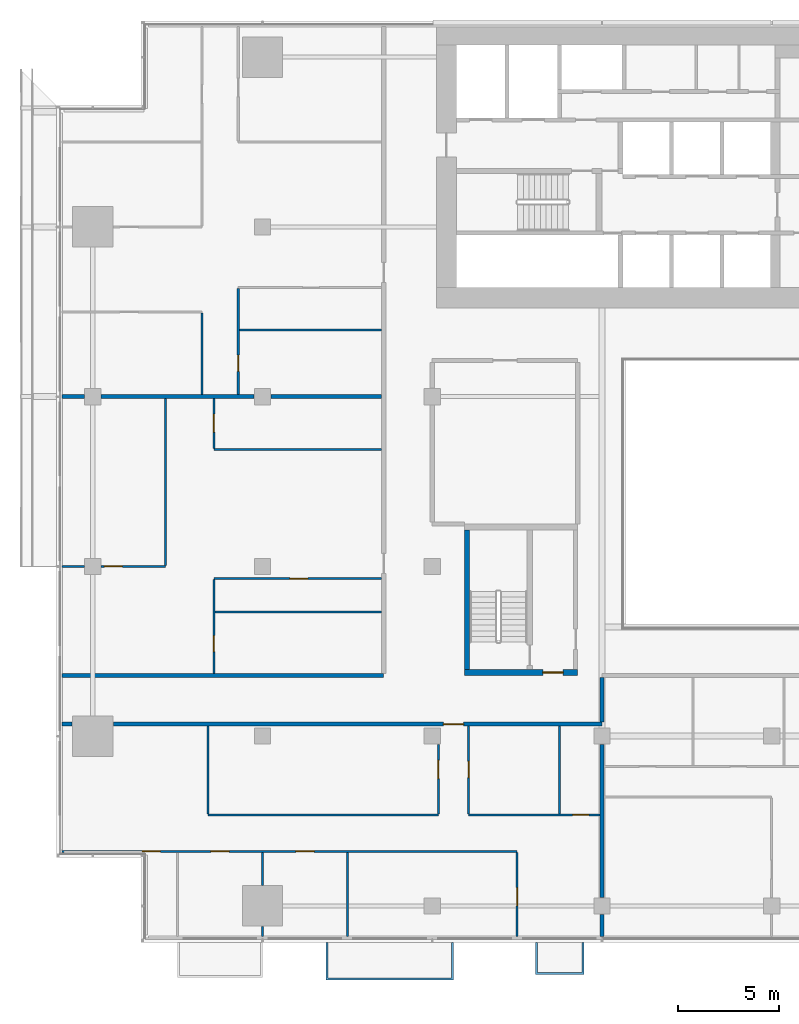
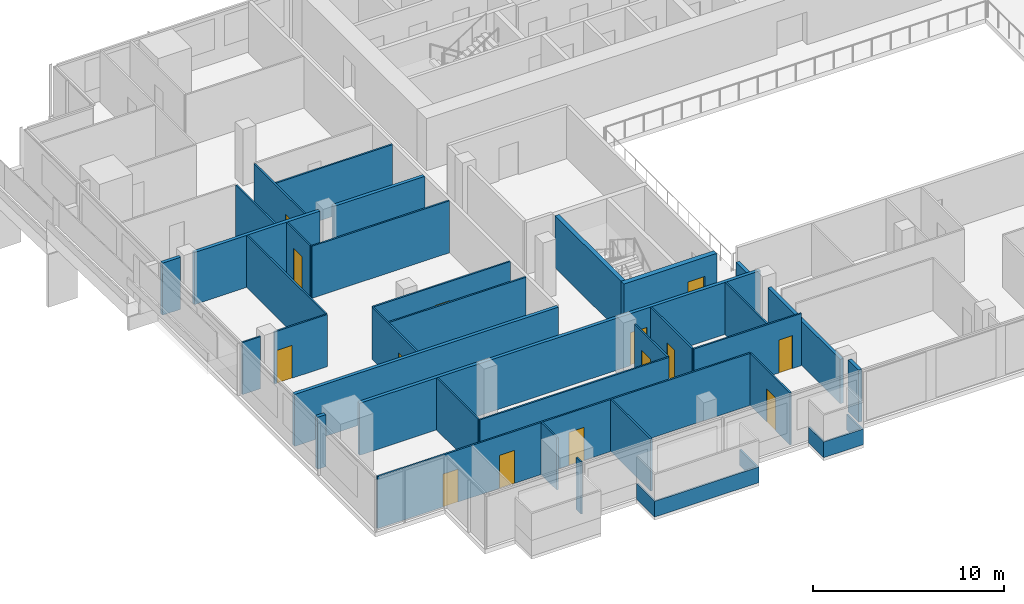
# One storey, part 18 of 27: 35 walls, 14 doors, 14 openings.
"""IFC4 building model written with IfcOpenShell, lengths in metres."""

import ifcopenshell
import ifcopenshell.guid

model = None  # the IFC model being written
_history = None  # IfcOwnerHistory: only IFC2X3 demands one
_inside = {}  # id of a spatial element -> (the spatial element, [elements in it])
_under = {}  # id of a project, library or spatial element -> (it, [spatial elements below it])
_declared = {}  # id of a project -> (the project, [libraries it declares])
_typed = {}  # id of a type object -> (the type object, [elements of that type])
_made_of = {}  # id of a material, layer set ... -> (it, [elements and type objects made of it])


def new_model(schema):
    """Start an empty IFC model of exactly this schema.

    Asked for "IFC4X3", IfcOpenShell would pick the latest addendum, in which some entities
    have other attributes; the version numbers below select the first issue.
    IFC2X3 requires an IfcOwnerHistory on every rooted entity: one is made here for all.
    """
    global model, _history
    if schema == "IFC4X3":
        model = ifcopenshell.file(schema_version=(4, 3, 0, 0))
    else:
        model = ifcopenshell.file(schema=schema)
    _inside.clear()
    _under.clear()
    _declared.clear()
    _typed.clear()
    _made_of.clear()
    _history = None
    if model.schema == "IFC2X3":
        org = make("IfcOrganization", Name="unknown")
        user = make(
            "IfcPersonAndOrganization",
            ThePerson=make("IfcPerson", FamilyName="unknown"),
            TheOrganization=org,
        )
        app = make(
            "IfcApplication",
            ApplicationDeveloper=org,
            Version="unknown",
            ApplicationFullName="unknown",
            ApplicationIdentifier="unknown",
        )
        _history = make(
            "IfcOwnerHistory",
            OwningUser=user,
            OwningApplication=app,
            ChangeAction="ADDED",
            CreationDate=0,
        )
    return model


def make(cls, **values):
    """One entity of the class cls with the attributes given. An attribute that is None is left unset."""
    return model.create_entity(
        cls, **{name: value for name, value in values.items() if value is not None}
    )


def rooted(cls, **values):
    """An entity with a GlobalId (a new one), such as an element, a storey or a relation."""
    return make(cls, GlobalId=ifcopenshell.guid.new(), OwnerHistory=_history, **values)


def si_unit(unit_type, name, prefix=None):
    """IfcSIUnit, for example si_unit("LENGTHUNIT", "METRE", prefix="MILLI")."""
    return make("IfcSIUnit", UnitType=unit_type, Prefix=prefix, Name=name)


def assignment(units):
    """IfcUnitAssignment: the units of a project."""
    return None if units is None else make("IfcUnitAssignment", Units=units)


def point(xyz):
    """IfcCartesianPoint."""
    return None if xyz is None else make("IfcCartesianPoint", Coordinates=xyz)


def direction(xyz):
    """IfcDirection."""
    return None if xyz is None else make("IfcDirection", DirectionRatios=xyz)


def frame(location, z_axis=None, x_axis=None):
    """IfcAxis2Placement3D, a coordinate frame: its origin and axes. An axis left out is left unset."""
    return make(
        "IfcAxis2Placement3D",
        Location=point(location),
        Axis=direction(z_axis),
        RefDirection=direction(x_axis),
    )


def frame_2d(location, x_axis=None):
    """IfcAxis2Placement2D, a coordinate frame in the plane: its origin and x axis."""
    return make(
        "IfcAxis2Placement2D", Location=point(location), RefDirection=direction(x_axis)
    )


def origin():
    """The frame at (0, 0, 0) with its axes left unset."""
    return frame((0.0, 0.0, 0.0))


def place(relative_to, where):
    """IfcLocalPlacement: puts the frame where relative to a parent placement (None: the world)."""
    return make(
        "IfcLocalPlacement", PlacementRelTo=relative_to, RelativePlacement=where
    )


def context(
    kind, dimensions, precision=None, world=None, true_north=None, identifier=None
):
    """IfcGeometricRepresentationContext, for example the 3D "Model" context."""
    return make(
        "IfcGeometricRepresentationContext",
        ContextIdentifier=identifier,
        ContextType=kind,
        CoordinateSpaceDimension=dimensions,
        Precision=precision,
        WorldCoordinateSystem=world,
        TrueNorth=true_north,
    )


def subcontext(parent, identifier, kind, view, scale=None):
    """IfcGeometricRepresentationSubContext, for example "Body" below "Model"."""
    return make(
        "IfcGeometricRepresentationSubContext",
        ContextIdentifier=identifier,
        ContextType=kind,
        ParentContext=parent,
        TargetScale=scale,
        TargetView=view,
    )


def project(units=None, contexts=None):
    """IfcProject with its units and contexts."""
    return rooted(
        "IfcProject",
        Name="project",
        RepresentationContexts=contexts,
        UnitsInContext=assignment(units),
    )


def spatial(cls, under=None, at=None, **own):
    """A site, building, storey or space (cls), placed at a placement, below another one or the project."""
    s = rooted(cls, ObjectPlacement=at, **own)
    if under is not None:
        _under.setdefault(under.id(), (under, []))[1].append(s)
    return s


def polyline(points):
    """IfcPolyline through the points."""
    return make("IfcPolyline", Points=[point(p) for p in points])


def profile(cls, at=None, kind="AREA", **sizes):
    """A parametric profile (cls). Its sizes go by their IFC names, for example OverallWidth=200.0."""
    return make(cls, ProfileType=kind, Position=at, **sizes)


def rectangle(**sizes):
    """IfcRectangleProfileDef."""
    return profile("IfcRectangleProfileDef", **sizes)


def outline(outer, holes=None, kind="AREA"):
    """IfcArbitraryClosedProfileDef: a profile drawn as a closed curve; with holes, ...WithVoids."""
    if holes is None:
        return make("IfcArbitraryClosedProfileDef", ProfileType=kind, OuterCurve=outer)
    return make(
        "IfcArbitraryProfileDefWithVoids",
        ProfileType=kind,
        OuterCurve=outer,
        InnerCurves=holes,
    )


def extrude(swept, where, along, depth):
    """IfcExtrudedAreaSolid: the profile swept, set in the frame where, extruded along a direction by depth."""
    return make(
        "IfcExtrudedAreaSolid",
        SweptArea=swept,
        Position=where,
        ExtrudedDirection=direction(along),
        Depth=depth,
    )


def shape(context_of_items, identifier, shape_type, items):
    """IfcShapeRepresentation: the items that make up one representation, for example the "Body"."""
    return make(
        "IfcShapeRepresentation",
        ContextOfItems=context_of_items,
        RepresentationIdentifier=identifier,
        RepresentationType=shape_type,
        Items=items,
    )


def material(Name=None, Category=None):
    """IfcMaterial."""
    return make("IfcMaterial", Name=Name, Category=Category)


def layer(
    of_material, thickness, ventilated=None, Name=None, Category=None, Priority=None
):
    """IfcMaterialLayer: one layer of a wall or slab, of a material (None: an air gap)."""
    return make(
        "IfcMaterialLayer",
        Material=of_material,
        LayerThickness=thickness,
        IsVentilated=ventilated,
        Name=Name,
        Category=Category,
        Priority=Priority,
    )


def layer_set(layers, Name=None):
    """IfcMaterialLayerSet."""
    return make("IfcMaterialLayerSet", MaterialLayers=layers, LayerSetName=Name)


def made_of(thing, what):
    """Note that an element or type object is made of a material, layer set ...; save() writes the relation."""
    if what is not None:
        _made_of.setdefault(what.id(), (what, []))[1].append(thing)
    return thing


def type_object(cls, material=None, **own):
    """A type object (cls), such as IfcWallType, which elements share."""
    return made_of(rooted(cls, **own), material)


def element(
    cls,
    number,
    at=None,
    inside=None,
    cuts=None,
    type_object=None,
    material=None,
    context=None,
    identifier="Body",
    shape_type=None,
    held_by="IfcProductDefinitionShape",
    body=None,
    shapes=None,
    **own,
):
    """One element of the class cls, such as IfcWall. Its Tag is "e" and its number.

    at: its placement. inside: the storey or other place that contains it. cuts: it is an
    opening in that element (IfcRelVoidsElement). A single representation is given by context,
    identifier, shape_type and body (its items); several are given by shapes. held_by: the class
    of the entity that holds the representations. save() writes the other relations.
    """
    e = rooted(cls, Tag="e%d" % number, ObjectPlacement=at, **own)
    if body is not None:
        shapes = [shape(context, identifier, shape_type, body)]
    if shapes is not None:
        e.Representation = make(held_by, Representations=shapes)
    if inside is not None:
        _inside.setdefault(inside.id(), (inside, []))[1].append(e)
    if cuts is not None:
        rooted(
            "IfcRelVoidsElement", RelatingBuildingElement=cuts, RelatedOpeningElement=e
        )
    if type_object is not None:
        _typed.setdefault(type_object.id(), (type_object, []))[1].append(e)
    return made_of(e, material)


def fill(opening, filler):
    """IfcRelFillsElement: the door or window that sits in an opening."""
    return rooted(
        "IfcRelFillsElement",
        RelatingOpeningElement=opening,
        RelatedBuildingElement=filler,
    )


def aggregate(whole, parts):
    """IfcRelAggregates: a whole, such as a stair, and the parts it consists of."""
    return rooted("IfcRelAggregates", RelatingObject=whole, RelatedObjects=parts)


def save(model, path):
    """Write the relations noted so far, then the file.

    IfcRelAggregates (storeys below a building ...), IfcRelContainedInSpatialStructure (elements
    in a storey), IfcRelDefinesByType, IfcRelAssociatesMaterial and IfcRelDeclares: one each for
    every whole, place, type object, material and project.
    """
    for whole, parts in _under.values():
        aggregate(whole, parts)
    for where, things in _inside.values():
        rooted(
            "IfcRelContainedInSpatialStructure",
            RelatedElements=things,
            RelatingStructure=where,
        )
    for kind, things in _typed.values():
        rooted("IfcRelDefinesByType", RelatedObjects=things, RelatingType=kind)
    for what, things in _made_of.values():
        rooted("IfcRelAssociatesMaterial", RelatedObjects=things, RelatingMaterial=what)
    for by, libraries in _declared.values():
        rooted("IfcRelDeclares", RelatingContext=by, RelatedDefinitions=libraries)
    model.write(path)


model = new_model("IFC4")

# Units and contexts
model_context = context("Model", 3, precision=1e-05, world=origin(), true_north=direction((0.0, 1.0)))
body_context = subcontext(model_context, "Body", "Model", "MODEL_VIEW")
ifc_project = project(units=[si_unit("LENGTHUNIT", "METRE"), si_unit("AREAUNIT", "SQUARE_METRE"), si_unit("VOLUMEUNIT", "CUBIC_METRE"), si_unit("PLANEANGLEUNIT", "RADIAN"), si_unit("MASSUNIT", "GRAM", prefix="KILO")], contexts=[model_context])

# Site, building, storey
site_placement = place(None, origin())
site = spatial("IfcSite", under=ifc_project, at=site_placement, CompositionType="ELEMENT")
building_placement = place(site_placement, origin())
building = spatial("IfcBuilding", under=site, at=building_placement, Name="Saffron Gate Tower", CompositionType="ELEMENT")
storey_placement = place(building_placement, frame((0.0, 0.0, 109.64990234375)))
storey = spatial("IfcBuildingStorey", under=building, at=storey_placement, Name="L25", CompositionType="ELEMENT", Elevation=109.64990234375)

# Wall
ifc_material_1 = material(Name="Concrete C70", Category="concrete")
ifc_layer_1 = layer(ifc_material_1, 0.25)
ifc_layer_set_1 = layer_set([ifc_layer_1], Name="CW2 RC core wall 250 C70")
wall_type_1 = type_object("IfcWallType", Name="CW2 RC core wall 250 C70", PredefinedType="SOLIDWALL", material=ifc_layer_set_1)
wall_1_placement = place(storey_placement, frame((68.324951171875, 43.5, 0.0), z_axis=(0.0, 0.0, 1.0), x_axis=(0.0, 1.0, 0.0)))
element("IfcWall", 1, at=wall_1_placement, inside=storey, type_object=wall_type_1, Name="Wall CW2-L25-D-2", PredefinedType="SOLIDWALL", context=body_context, shape_type="SweptSolid", body=[
    extrude(rectangle(XDim=6.89990234375, YDim=0.25, at=frame_2d((3.449951171875, 0.0))), origin(), (0.0, 0.0, 1.0), 3.320068359375),
])

# Wall, opening, door
ifc_layer_2 = layer(ifc_material_1, 0.300048828125)
ifc_layer_set_2 = layer_set([ifc_layer_2], Name="CW5 RC core wall 300 C70")
wall_type_2 = type_object("IfcWallType", Name="CW5 RC core wall 300 C70", PredefinedType="SOLIDWALL", material=ifc_layer_set_2)
wall_2_placement = place(storey_placement, frame((68.199951171875, 43.35009765625, 0.0), z_axis=(0.0, 0.0, 1.0), x_axis=(1.0, 0.0, 0.0)))
wall_2 = element("IfcWall", 2, at=wall_2_placement, inside=storey, type_object=wall_type_2, Name="Wall CW5-L25-D-1", PredefinedType="SOLIDWALL", context=body_context, shape_type="SweptSolid", body=[
    extrude(rectangle(XDim=5.60009765625, YDim=0.300048828125, at=frame_2d((2.800048828125, 0.0))), origin(), (0.0, 0.0, 1.0), 3.320068359375),
])
opening_1_placement = place(wall_2_placement, frame((3.875, 0.0, 0.0)))
opening_1 = element("IfcOpeningElement", 3, at=opening_1_placement, cuts=wall_2, Name="Opening CR-18", PredefinedType="OPENING", context=body_context, shape_type="SweptSolid", body=[
    extrude(rectangle(XDim=1.0, YDim=2.10009765625, at=frame_2d((0.5, 1.050048828125))), frame((0.0, 0.16015625, 0.0), z_axis=(0.0, -1.0, 0.0), x_axis=(1.0, 0.0, 0.0)), (0.0, 0.0, 1.0), 0.320068359375),
])
ifc_material_2 = material(Name="Steel fire door set", Category="steel")
door_type_1 = type_object("IfcDoorType", Name="CD4 Lobby door 1000x2100 EI 120", OperationType="NOTDEFINED", PredefinedType="DOOR", material=ifc_material_2)
door_1_placement = place(opening_1_placement, origin())
door_1 = element("IfcDoor", 4, at=door_1_placement, inside=storey, type_object=door_type_1, Name="DOOR CR-18", OperationType="SINGLE_SWING_RIGHT", OverallHeight=2.10009765625, OverallWidth=1.0, PredefinedType="DOOR", context=body_context, shape_type="SweptSolid", body=[
    extrude(rectangle(XDim=1.0, YDim=2.10009765625, at=frame_2d((0.5, 1.050048828125))), frame((0.0, 0.02490234375, 0.0), z_axis=(0.0, -1.0, 0.0), x_axis=(1.0, 0.0, 0.0)), (0.0, 0.0, 1.0), 0.050048828125),
])
fill(opening_1, door_1)

# Wall, openings, doors
ifc_material_3 = material(Name="Plasterboard on steel studs", Category="steel")
ifc_layer_3 = layer(ifc_material_3, 0.10009765625)
ifc_layer_set_3 = layer_set([ifc_layer_3], Name="PW1 Partition 100")
wall_type_3 = type_object("IfcWallType", Name="PW1 Partition 100", PredefinedType="PARTITIONING", material=ifc_layer_set_3)
wall_3_placement = place(storey_placement, frame((70.800048828125, 34.5, 0.0), z_axis=(0.0, 0.0, 1.0), x_axis=(-1.0, 0.0, 0.0)))
wall_3 = element("IfcWall", 5, at=wall_3_placement, inside=storey, type_object=wall_type_3, Name="Partition B2-1", PredefinedType="PARTITIONING", context=body_context, shape_type="SweptSolid", body=[
    extrude(rectangle(XDim=22.52001953125, YDim=0.10009765625, at=frame_2d((11.260009765625, 0.0))), origin(), (0.0, 0.0, 1.0), 3.320068359375),
])
opening_2_placement = place(wall_3_placement, frame((10.050048828125, 0.0, 0.0)))
opening_2 = element("IfcOpeningElement", 6, at=opening_2_placement, cuts=wall_3, Name="Opening B2-10", PredefinedType="OPENING", context=body_context, shape_type="SweptSolid", body=[
    extrude(rectangle(XDim=0.89990234375, YDim=2.10009765625, at=frame_2d((0.449951171875, 1.050048828125))), frame((0.0, 0.06005859375, 0.0), z_axis=(0.0, -1.0, 0.0), x_axis=(1.0, 0.0, 0.0)), (0.0, 0.0, 1.0), 0.1201171875),
])
opening_3_placement = place(wall_3_placement, frame((14.25, 0.0, 0.0)))
opening_3 = element("IfcOpeningElement", 7, at=opening_3_placement, cuts=wall_3, Name="Opening B2-9", PredefinedType="OPENING", context=body_context, shape_type="SweptSolid", body=[
    extrude(rectangle(XDim=0.89990234375, YDim=2.10009765625, at=frame_2d((0.449951171875, 1.050048828125))), frame((0.0, 0.06005859375, 0.0), z_axis=(0.0, -1.0, 0.0), x_axis=(1.0, 0.0, 0.0)), (0.0, 0.0, 1.0), 0.1201171875),
])
opening_4_placement = place(wall_3_placement, frame((17.65380859375, 0.0, 0.0)))
opening_4 = element("IfcOpeningElement", 8, at=opening_4_placement, cuts=wall_3, Name="Opening B2-8", PredefinedType="OPENING", context=body_context, shape_type="SweptSolid", body=[
    extrude(rectangle(XDim=0.89990234375, YDim=2.10009765625, at=frame_2d((0.449951171875, 1.050048828125))), frame((0.0, 0.06005859375, 0.0), z_axis=(0.0, -1.0, 0.0), x_axis=(1.0, 0.0, 0.0)), (0.0, 0.0, 1.0), 0.1201171875),
])
ifc_material_4 = material(Name="Timber door set", Category="wood")
door_type_2 = type_object("IfcDoorType", Name="RD1 Room door 900x2100", OperationType="NOTDEFINED", PredefinedType="DOOR", material=ifc_material_4)
door_2_placement = place(opening_2_placement, origin())
door_2 = element("IfcDoor", 9, at=door_2_placement, inside=storey, type_object=door_type_2, Name="Door B2-10", OperationType="SINGLE_SWING_RIGHT", OverallHeight=2.10009765625, OverallWidth=0.89990234375, PredefinedType="DOOR", context=body_context, shape_type="SweptSolid", body=[
    extrude(rectangle(XDim=0.89990234375, YDim=2.10009765625, at=frame_2d((0.449951171875, 1.050048828125))), frame((0.0, 0.02490234375, 0.0), z_axis=(0.0, -1.0, 0.0), x_axis=(1.0, 0.0, 0.0)), (0.0, 0.0, 1.0), 0.050048828125),
])
fill(opening_2, door_2)
door_3_placement = place(opening_3_placement, origin())
door_3 = element("IfcDoor", 10, at=door_3_placement, inside=storey, type_object=door_type_2, Name="Door B2-9", OperationType="SINGLE_SWING_RIGHT", OverallHeight=2.10009765625, OverallWidth=0.89990234375, PredefinedType="DOOR", context=body_context, shape_type="SweptSolid", body=[
    extrude(rectangle(XDim=0.89990234375, YDim=2.10009765625, at=frame_2d((0.449951171875, 1.050048828125))), frame((0.0, 0.02490234375, 0.0), z_axis=(0.0, -1.0, 0.0), x_axis=(1.0, 0.0, 0.0)), (0.0, 0.0, 1.0), 0.050048828125),
])
fill(opening_3, door_3)
door_4_placement = place(opening_4_placement, origin())
door_4 = element("IfcDoor", 11, at=door_4_placement, inside=storey, type_object=door_type_2, Name="Door B2-8", OperationType="SINGLE_SWING_LEFT", OverallHeight=2.10009765625, OverallWidth=0.89990234375, PredefinedType="DOOR", context=body_context, shape_type="SweptSolid", body=[
    extrude(rectangle(XDim=0.89990234375, YDim=2.10009765625, at=frame_2d((0.449951171875, 1.050048828125))), frame((0.0, 0.02490234375, 0.0), z_axis=(0.0, -1.0, 0.0), x_axis=(1.0, 0.0, 0.0)), (0.0, 0.0, 1.0), 0.050048828125),
])
fill(opening_4, door_4)

# Wall
wall_4_placement = place(storey_placement, frame((55.5, 36.300048828125, 0.0), z_axis=(0.0, 0.0, 1.0), x_axis=(1.0, 0.0, 0.0)))
element("IfcWall", 12, at=wall_4_placement, inside=storey, type_object=wall_type_3, Name="Partition B2-3", PredefinedType="PARTITIONING", context=body_context, shape_type="SweptSolid", body=[
    extrude(rectangle(XDim=11.39990234375, YDim=0.10009765625, at=frame_2d((5.699951171875, 0.0))), origin(), (0.0, 0.0, 1.0), 3.320068359375),
])

# Wall, opening, door
wall_5_placement = place(storey_placement, frame((68.39990234375, 36.300048828125, 0.0), z_axis=(0.0, 0.0, 1.0), x_axis=(1.0, 0.0, 0.0)))
wall_5 = element("IfcWall", 13, at=wall_5_placement, inside=storey, type_object=wall_type_3, Name="Partition B2-4", PredefinedType="PARTITIONING", context=body_context, shape_type="SweptSolid", body=[
    extrude(rectangle(XDim=6.5, YDim=0.10009765625, at=frame_2d((3.25, 0.0))), origin(), (0.0, 0.0, 1.0), 3.320068359375),
])
opening_5_placement = place(wall_5_placement, frame((5.14990234375, 0.0, 0.0)))
opening_5 = element("IfcOpeningElement", 14, at=opening_5_placement, cuts=wall_5, Name="Opening B2-37", PredefinedType="OPENING", context=body_context, shape_type="SweptSolid", body=[
    extrude(rectangle(XDim=0.800048828125, YDim=2.10009765625, at=frame_2d((0.39990234375, 1.050048828125))), frame((0.0, 0.06005859375, 0.0), z_axis=(0.0, -1.0, 0.0), x_axis=(1.0, 0.0, 0.0)), (0.0, 0.0, 1.0), 0.1201171875),
])
door_type_3 = type_object("IfcDoorType", Name="RD2 Bathroom door 800x2100", OperationType="NOTDEFINED", PredefinedType="DOOR", material=ifc_material_4)
door_5_placement = place(opening_5_placement, origin())
door_5 = element("IfcDoor", 15, at=door_5_placement, inside=storey, type_object=door_type_3, Name="Door B2-37", OperationType="SINGLE_SWING_RIGHT", OverallHeight=2.10009765625, OverallWidth=0.800048828125, PredefinedType="DOOR", context=body_context, shape_type="SweptSolid", body=[
    extrude(rectangle(XDim=0.800048828125, YDim=2.10009765625, at=frame_2d((0.39990234375, 1.050048828125))), frame((0.0, 0.02490234375, 0.0), z_axis=(0.0, -1.0, 0.0), x_axis=(1.0, 0.0, 0.0)), (0.0, 0.0, 1.0), 0.050048828125),
])
fill(opening_5, door_5)

# Wall
wall_6_placement = place(storey_placement, frame((55.85009765625, 46.354736328125, 0.0), z_axis=(0.0, 0.0, 1.0), x_axis=(1.0, 0.0, 0.0)))
element("IfcWall", 16, at=wall_6_placement, inside=storey, type_object=wall_type_3, Name="Partition B2-16", PredefinedType="PARTITIONING", context=body_context, shape_type="SweptSolid", body=[
    extrude(rectangle(XDim=8.25, YDim=0.10009765625, at=frame_2d((4.125, 0.0))), origin(), (0.0, 0.0, 1.0), 3.320068359375),
])

# Wall, opening, door
wall_7_placement = place(storey_placement, frame((64.10009765625, 48.0, 0.0), z_axis=(0.0, 0.0, 1.0), x_axis=(-1.0, 0.0, 0.0)))
wall_7 = element("IfcWall", 17, at=wall_7_placement, inside=storey, type_object=wall_type_3, Name="Partition B2-18", PredefinedType="PARTITIONING", context=body_context, shape_type="SweptSolid", body=[
    extrude(rectangle(XDim=8.300048828125, YDim=0.10009765625, at=frame_2d((4.14990234375, 0.0))), origin(), (0.0, 0.0, 1.0), 3.320068359375),
])
opening_6_placement = place(wall_7_placement, frame((3.64990234375, 0.0, 0.0)))
opening_6 = element("IfcOpeningElement", 18, at=opening_6_placement, cuts=wall_7, Name="Opening B2-25", PredefinedType="OPENING", context=body_context, shape_type="SweptSolid", body=[
    extrude(rectangle(XDim=0.89990234375, YDim=2.10009765625, at=frame_2d((0.449951171875, 1.050048828125))), frame((0.0, 0.06005859375, 0.0), z_axis=(0.0, -1.0, 0.0), x_axis=(1.0, 0.0, 0.0)), (0.0, 0.0, 1.0), 0.1201171875),
])
door_6_placement = place(opening_6_placement, origin())
door_6 = element("IfcDoor", 19, at=door_6_placement, inside=storey, type_object=door_type_2, Name="Door B2-25", OperationType="SINGLE_SWING_LEFT", OverallHeight=2.10009765625, OverallWidth=0.89990234375, PredefinedType="DOOR", context=body_context, shape_type="SweptSolid", body=[
    extrude(rectangle(XDim=0.89990234375, YDim=2.10009765625, at=frame_2d((0.449951171875, 1.050048828125))), frame((0.0, 0.02490234375, 0.0), z_axis=(0.0, -1.0, 0.0), x_axis=(1.0, 0.0, 0.0)), (0.0, 0.0, 1.0), 0.050048828125),
])
fill(opening_6, door_6)

# Wall
wall_8_placement = place(storey_placement, frame((48.280029296875, 48.60009765625, 0.0), z_axis=(0.0, 0.0, 1.0), x_axis=(1.0, 0.0, 0.0)))
element("IfcWall", 20, at=wall_8_placement, inside=storey, type_object=wall_type_3, Name="Partition B2-19", PredefinedType="PARTITIONING", context=body_context, shape_type="SweptSolid", body=[
    extrude(rectangle(XDim=1.099853515625, YDim=0.10009765625, at=frame_2d((0.5498046875, 0.0))), origin(), (0.0, 0.0, 1.0), 3.320068359375),
])

# Wall, opening, door
wall_9_placement = place(storey_placement, frame((50.219970703125, 48.60009765625, 0.0), z_axis=(0.0, 0.0, 1.0), x_axis=(1.0, 0.0, 0.0)))
wall_9 = element("IfcWall", 21, at=wall_9_placement, inside=storey, type_object=wall_type_3, Name="Partition B2-20", PredefinedType="PARTITIONING", context=body_context, shape_type="SweptSolid", body=[
    extrude(rectangle(XDim=3.179931640625, YDim=0.10009765625, at=frame_2d((1.58984375, 0.0))), origin(), (0.0, 0.0, 1.0), 3.320068359375),
])
opening_7_placement = place(wall_9_placement, frame((0.14990234375, 0.0, 0.0)))
opening_7 = element("IfcOpeningElement", 22, at=opening_7_placement, cuts=wall_9, Name="Opening B2-23", PredefinedType="OPENING", context=body_context, shape_type="SweptSolid", body=[
    extrude(rectangle(XDim=0.89990234375, YDim=2.10009765625, at=frame_2d((0.449951171875, 1.050048828125))), frame((0.0, 0.06005859375, 0.0), z_axis=(0.0, -1.0, 0.0), x_axis=(1.0, 0.0, 0.0)), (0.0, 0.0, 1.0), 0.1201171875),
])
door_7_placement = place(opening_7_placement, origin())
door_7 = element("IfcDoor", 23, at=door_7_placement, inside=storey, type_object=door_type_2, Name="Door B2-23", OperationType="SINGLE_SWING_LEFT", OverallHeight=2.10009765625, OverallWidth=0.89990234375, PredefinedType="DOOR", context=body_context, shape_type="SweptSolid", body=[
    extrude(rectangle(XDim=0.89990234375, YDim=2.10009765625, at=frame_2d((0.449951171875, 1.050048828125))), frame((0.0, 0.02490234375, 0.0), z_axis=(0.0, -1.0, 0.0), x_axis=(1.0, 0.0, 0.0)), (0.0, 0.0, 1.0), 0.050048828125),
])
fill(opening_7, door_7)

# Walls
wall_10_placement = place(storey_placement, frame((55.800048828125, 54.381103515625, 0.0), z_axis=(0.0, 0.0, 1.0), x_axis=(1.0, 0.0, 0.0)))
element("IfcWall", 24, at=wall_10_placement, inside=storey, type_object=wall_type_3, Name="Partition B2-27", PredefinedType="PARTITIONING", context=body_context, shape_type="SweptSolid", body=[
    extrude(rectangle(XDim=8.300048828125, YDim=0.10009765625, at=frame_2d((4.14990234375, 0.0))), origin(), (0.0, 0.0, 1.0), 3.320068359375),
])
wall_11_placement = place(storey_placement, frame((57.050048828125, 60.300048828125, 0.0), z_axis=(0.0, 0.0, 1.0), x_axis=(1.0, 0.0, 0.0)))
element("IfcWall", 25, at=wall_11_placement, inside=storey, type_object=wall_type_3, Name="Partition B2-36", PredefinedType="PARTITIONING", context=body_context, shape_type="SweptSolid", body=[
    extrude(rectangle(XDim=7.050048828125, YDim=0.10009765625, at=frame_2d((3.52490234375, 0.0))), origin(), (0.0, 0.0, 1.0), 3.320068359375),
])
wall_12_placement = place(storey_placement, frame((53.39990234375, 56.89990234375, 0.0), z_axis=(0.0, 0.0, 1.0), x_axis=(0.0, -1.0, 0.0)))
element("IfcWall", 26, at=wall_12_placement, inside=storey, type_object=wall_type_3, Name="Partition B2-49", PredefinedType="PARTITIONING", context=body_context, shape_type="SweptSolid", body=[
    extrude(rectangle(XDim=8.25, YDim=0.10009765625, at=frame_2d((4.125, 0.0))), origin(), (0.0, 0.0, 1.0), 3.320068359375),
])
wall_13_placement = place(storey_placement, frame((55.199951171875, 61.14990234375, 0.0), z_axis=(0.0, 0.0, 1.0), x_axis=(0.0, -1.0, 0.0)))
element("IfcWall", 27, at=wall_13_placement, inside=storey, type_object=wall_type_3, Name="Partition B2-51", PredefinedType="PARTITIONING", context=body_context, shape_type="SweptSolid", body=[
    extrude(rectangle(XDim=4.0498046875, YDim=0.10009765625, at=frame_2d((2.02490234375, 0.0))), origin(), (0.0, 0.0, 1.0), 3.320068359375),
])
wall_14_placement = place(storey_placement, frame((55.5, 40.699951171875, 0.0), z_axis=(0.0, 0.0, 1.0), x_axis=(0.0, -1.0, 0.0)))
element("IfcWall", 28, at=wall_14_placement, inside=storey, type_object=wall_type_3, Name="Partition B2-53", PredefinedType="PARTITIONING", context=body_context, shape_type="SweptSolid", body=[
    extrude(rectangle(XDim=4.349853515625, YDim=0.10009765625, at=frame_2d((2.1748046875, 0.0))), origin(), (0.0, 0.0, 1.0), 3.320068359375),
])

# Wall, opening, door
wall_15_placement = place(storey_placement, frame((55.800048828125, 47.949951171875, 0.0), z_axis=(0.0, 0.0, 1.0), x_axis=(0.0, -1.0, 0.0)))
wall_15 = element("IfcWall", 29, at=wall_15_placement, inside=storey, type_object=wall_type_3, Name="Partition B2-54", PredefinedType="PARTITIONING", context=body_context, shape_type="SweptSolid", body=[
    extrude(rectangle(XDim=4.64990234375, YDim=0.10009765625, at=frame_2d((2.324951171875, 0.0))), origin(), (0.0, 0.0, 1.0), 3.320068359375),
])
opening_8_placement = place(wall_15_placement, frame((2.772705078125, 0.0, 0.0)))
opening_8 = element("IfcOpeningElement", 30, at=opening_8_placement, cuts=wall_15, Name="Opening B2-42", PredefinedType="OPENING", context=body_context, shape_type="SweptSolid", body=[
    extrude(rectangle(XDim=0.800048828125, YDim=2.10009765625, at=frame_2d((0.39990234375, 1.050048828125))), frame((0.0, 0.06005859375, 0.0), z_axis=(0.0, -1.0, 0.0), x_axis=(1.0, 0.0, 0.0)), (0.0, 0.0, 1.0), 0.1201171875),
])
door_8_placement = place(opening_8_placement, origin())
door_8 = element("IfcDoor", 31, at=door_8_placement, inside=storey, type_object=door_type_3, Name="Door B2-42", OperationType="SINGLE_SWING_RIGHT", OverallHeight=2.10009765625, OverallWidth=0.800048828125, PredefinedType="DOOR", context=body_context, shape_type="SweptSolid", body=[
    extrude(rectangle(XDim=0.800048828125, YDim=2.10009765625, at=frame_2d((0.39990234375, 1.050048828125))), frame((0.0, 0.02490234375, 0.0), z_axis=(0.0, -1.0, 0.0), x_axis=(1.0, 0.0, 0.0)), (0.0, 0.0, 1.0), 0.050048828125),
])
fill(opening_8, door_8)

wall_16_placement = place(storey_placement, frame((55.800048828125, 56.89990234375, 0.0), z_axis=(0.0, 0.0, 1.0), x_axis=(0.0, -1.0, 0.0)))
wall_16 = element("IfcWall", 32, at=wall_16_placement, inside=storey, type_object=wall_type_3, Name="Partition B2-55", PredefinedType="PARTITIONING", context=body_context, shape_type="SweptSolid", body=[
    extrude(rectangle(XDim=2.468994140625, YDim=0.10009765625, at=frame_2d((1.234375, 0.0))), origin(), (0.0, 0.0, 1.0), 3.320068359375),
])
opening_9_placement = place(wall_16_placement, frame((0.759521484375, 0.0, 0.0)))
opening_9 = element("IfcOpeningElement", 33, at=opening_9_placement, cuts=wall_16, Name="Opening B2-24", PredefinedType="OPENING", context=body_context, shape_type="SweptSolid", body=[
    extrude(rectangle(XDim=0.89990234375, YDim=2.10009765625, at=frame_2d((0.449951171875, 1.050048828125))), frame((0.0, 0.06005859375, 0.0), z_axis=(0.0, -1.0, 0.0), x_axis=(1.0, 0.0, 0.0)), (0.0, 0.0, 1.0), 0.1201171875),
])
door_9_placement = place(opening_9_placement, origin())
door_9 = element("IfcDoor", 34, at=door_9_placement, inside=storey, type_object=door_type_2, Name="Door B2-24", OperationType="SINGLE_SWING_LEFT", OverallHeight=2.10009765625, OverallWidth=0.89990234375, PredefinedType="DOOR", context=body_context, shape_type="SweptSolid", body=[
    extrude(rectangle(XDim=0.89990234375, YDim=2.10009765625, at=frame_2d((0.449951171875, 1.050048828125))), frame((0.0, 0.02490234375, 0.0), z_axis=(0.0, -1.0, 0.0), x_axis=(1.0, 0.0, 0.0)), (0.0, 0.0, 1.0), 0.050048828125),
])
fill(opening_9, door_9)

wall_17_placement = place(storey_placement, frame((57.0, 62.35009765625, 0.0), z_axis=(0.0, 0.0, 1.0), x_axis=(0.0, -1.0, 0.0)))
wall_17 = element("IfcWall", 35, at=wall_17_placement, inside=storey, type_object=wall_type_3, Name="Partition B2-56", PredefinedType="PARTITIONING", context=body_context, shape_type="SweptSolid", body=[
    extrude(rectangle(XDim=5.25, YDim=0.10009765625, at=frame_2d((2.625, 0.0))), origin(), (0.0, 0.0, 1.0), 3.320068359375),
])
opening_10_placement = place(wall_17_placement, frame((3.300048828125, 0.0, 0.0)))
opening_10 = element("IfcOpeningElement", 36, at=opening_10_placement, cuts=wall_17, Name="Opening B2-43", PredefinedType="OPENING", context=body_context, shape_type="SweptSolid", body=[
    extrude(rectangle(XDim=0.800048828125, YDim=2.10009765625, at=frame_2d((0.39990234375, 1.050048828125))), frame((0.0, 0.06005859375, 0.0), z_axis=(0.0, -1.0, 0.0), x_axis=(1.0, 0.0, 0.0)), (0.0, 0.0, 1.0), 0.1201171875),
])
door_10_placement = place(opening_10_placement, origin())
door_10 = element("IfcDoor", 37, at=door_10_placement, inside=storey, type_object=door_type_3, Name="Door B2-43", OperationType="SINGLE_SWING_RIGHT", OverallHeight=2.10009765625, OverallWidth=0.800048828125, PredefinedType="DOOR", context=body_context, shape_type="SweptSolid", body=[
    extrude(rectangle(XDim=0.800048828125, YDim=2.10009765625, at=frame_2d((0.39990234375, 1.050048828125))), frame((0.0, 0.02490234375, 0.0), z_axis=(0.0, -1.0, 0.0), x_axis=(1.0, 0.0, 0.0)), (0.0, 0.0, 1.0), 0.050048828125),
])
fill(opening_10, door_10)

# Walls
wall_18_placement = place(storey_placement, frame((58.199951171875, 30.780029296875, 0.0), z_axis=(0.0, 0.0, 1.0), x_axis=(0.0, -1.0, 0.0)))
element("IfcWall", 38, at=wall_18_placement, inside=storey, type_object=wall_type_3, Name="Partition B2-58", PredefinedType="PARTITIONING", context=body_context, shape_type="SweptSolid", body=[
    extrude(rectangle(XDim=0.5, YDim=0.10009765625, at=frame_2d((0.25, 0.0))), origin(), (0.0, 0.0, 1.0), 3.320068359375),
])
wall_19_placement = place(storey_placement, frame((58.199951171875, 34.449951171875, 0.0), z_axis=(0.0, 0.0, 1.0), x_axis=(0.0, -1.0, 0.0)))
element("IfcWall", 39, at=wall_19_placement, inside=storey, type_object=wall_type_3, Name="Partition B2-59", PredefinedType="PARTITIONING", context=body_context, shape_type="SweptSolid", body=[
    extrude(rectangle(XDim=1.6298828125, YDim=0.10009765625, at=frame_2d((0.81494140625, 0.0))), origin(), (0.0, 0.0, 1.0), 3.320068359375),
])
wall_20_placement = place(storey_placement, frame((62.39990234375, 34.449951171875, 0.0), z_axis=(0.0, 0.0, 1.0), x_axis=(0.0, -1.0, 0.0)))
element("IfcWall", 40, at=wall_20_placement, inside=storey, type_object=wall_type_3, Name="Partition B2-60", PredefinedType="PARTITIONING", context=body_context, shape_type="SweptSolid", body=[
    extrude(rectangle(XDim=4.169921875, YDim=0.10009765625, at=frame_2d((2.0849609375, 0.0))), origin(), (0.0, 0.0, 1.0), 3.320068359375),
])

# Wall, opening, door
wall_21_placement = place(storey_placement, frame((66.89990234375, 36.35009765625, 0.0), z_axis=(0.0, 0.0, 1.0), x_axis=(0.0, 1.0, 0.0)))
wall_21 = element("IfcWall", 41, at=wall_21_placement, inside=storey, type_object=wall_type_3, Name="Partition B2-64", PredefinedType="PARTITIONING", context=body_context, shape_type="SweptSolid", body=[
    extrude(rectangle(XDim=3.429931640625, YDim=0.10009765625, at=frame_2d((1.71484375, 0.0))), origin(), (0.0, 0.0, 1.0), 3.320068359375),
])
opening_11_placement = place(wall_21_placement, frame((1.75, 0.0, 0.0)))
opening_11 = element("IfcOpeningElement", 42, at=opening_11_placement, cuts=wall_21, Name="Opening B2-12", PredefinedType="OPENING", context=body_context, shape_type="SweptSolid", body=[
    extrude(rectangle(XDim=0.89990234375, YDim=2.10009765625, at=frame_2d((0.449951171875, 1.050048828125))), frame((0.0, 0.06005859375, 0.0), z_axis=(0.0, -1.0, 0.0), x_axis=(1.0, 0.0, 0.0)), (0.0, 0.0, 1.0), 0.1201171875),
])
door_11_placement = place(opening_11_placement, origin())
door_11 = element("IfcDoor", 43, at=door_11_placement, inside=storey, type_object=door_type_2, Name="Door B2-12", OperationType="SINGLE_SWING_RIGHT", OverallHeight=2.10009765625, OverallWidth=0.89990234375, PredefinedType="DOOR", context=body_context, shape_type="SweptSolid", body=[
    extrude(rectangle(XDim=0.89990234375, YDim=2.10009765625, at=frame_2d((0.449951171875, 1.050048828125))), frame((0.0, 0.02490234375, 0.0), z_axis=(0.0, -1.0, 0.0), x_axis=(1.0, 0.0, 0.0)), (0.0, 0.0, 1.0), 0.050048828125),
])
fill(opening_11, door_11)

wall_22_placement = place(storey_placement, frame((68.39990234375, 40.699951171875, 0.0), z_axis=(0.0, 0.0, 1.0), x_axis=(0.0, -1.0, 0.0)))
wall_22 = element("IfcWall", 44, at=wall_22_placement, inside=storey, type_object=wall_type_3, Name="Partition B2-65", PredefinedType="PARTITIONING", context=body_context, shape_type="SweptSolid", body=[
    extrude(rectangle(XDim=4.349853515625, YDim=0.10009765625, at=frame_2d((2.1748046875, 0.0))), origin(), (0.0, 0.0, 1.0), 3.320068359375),
])
opening_12_placement = place(wall_22_placement, frame((1.75, 0.0, 0.0)))
opening_12 = element("IfcOpeningElement", 45, at=opening_12_placement, cuts=wall_22, Name="Opening B2-36", PredefinedType="OPENING", context=body_context, shape_type="SweptSolid", body=[
    extrude(rectangle(XDim=0.800048828125, YDim=2.10009765625, at=frame_2d((0.39990234375, 1.050048828125))), frame((0.0, 0.06005859375, 0.0), z_axis=(0.0, -1.0, 0.0), x_axis=(1.0, 0.0, 0.0)), (0.0, 0.0, 1.0), 0.1201171875),
])
door_12_placement = place(opening_12_placement, origin())
door_12 = element("IfcDoor", 46, at=door_12_placement, inside=storey, type_object=door_type_3, Name="Door B2-36", OperationType="SINGLE_SWING_LEFT", OverallHeight=2.10009765625, OverallWidth=0.800048828125, PredefinedType="DOOR", context=body_context, shape_type="SweptSolid", body=[
    extrude(rectangle(XDim=0.800048828125, YDim=2.10009765625, at=frame_2d((0.39990234375, 1.050048828125))), frame((0.0, 0.02490234375, 0.0), z_axis=(0.0, -1.0, 0.0), x_axis=(1.0, 0.0, 0.0)), (0.0, 0.0, 1.0), 0.050048828125),
])
fill(opening_12, door_12)

wall_23_placement = place(storey_placement, frame((70.800048828125, 30.280029296875, 0.0), z_axis=(0.0, 0.0, 1.0), x_axis=(0.0, 1.0, 0.0)))
wall_23 = element("IfcWall", 47, at=wall_23_placement, inside=storey, type_object=wall_type_3, Name="Partition B2-66", PredefinedType="PARTITIONING", context=body_context, shape_type="SweptSolid", body=[
    extrude(rectangle(XDim=4.169921875, YDim=0.10009765625, at=frame_2d((2.0849609375, 0.0))), origin(), (0.0, 0.0, 1.0), 3.320068359375),
])
opening_13_placement = place(wall_23_placement, frame((1.52001953125, 0.0, 0.0)))
opening_13 = element("IfcOpeningElement", 48, at=opening_13_placement, cuts=wall_23, Name="Opening B2-11", PredefinedType="OPENING", context=body_context, shape_type="SweptSolid", body=[
    extrude(rectangle(XDim=0.89990234375, YDim=2.10009765625, at=frame_2d((0.449951171875, 1.050048828125))), frame((0.0, 0.06005859375, 0.0), z_axis=(0.0, -1.0, 0.0), x_axis=(1.0, 0.0, 0.0)), (0.0, 0.0, 1.0), 0.1201171875),
])
door_13_placement = place(opening_13_placement, origin())
door_13 = element("IfcDoor", 49, at=door_13_placement, inside=storey, type_object=door_type_2, Name="Door B2-11", OperationType="SINGLE_SWING_LEFT", OverallHeight=2.10009765625, OverallWidth=0.89990234375, PredefinedType="DOOR", context=body_context, shape_type="SweptSolid", body=[
    extrude(rectangle(XDim=0.89990234375, YDim=2.10009765625, at=frame_2d((0.449951171875, 1.050048828125))), frame((0.0, 0.02490234375, 0.0), z_axis=(0.0, -1.0, 0.0), x_axis=(1.0, 0.0, 0.0)), (0.0, 0.0, 1.0), 0.050048828125),
])
fill(opening_13, door_13)

# Walls
wall_24_placement = place(storey_placement, frame((72.89990234375, 40.699951171875, 0.0), z_axis=(0.0, 0.0, 1.0), x_axis=(0.0, -1.0, 0.0)))
element("IfcWall", 50, at=wall_24_placement, inside=storey, type_object=wall_type_3, Name="Partition B2-67", PredefinedType="PARTITIONING", context=body_context, shape_type="SweptSolid", body=[
    extrude(rectangle(XDim=4.349853515625, YDim=0.10009765625, at=frame_2d((2.1748046875, 0.0))), origin(), (0.0, 0.0, 1.0), 3.320068359375),
])
ifc_material_5 = material(Name="Clay brick masonry, rendered", Category="masonry")
ifc_layer_4 = layer(ifc_material_5, 0.199951171875)
ifc_layer_set_4 = layer_set([ifc_layer_4], Name="PW2 Demising wall 200")
wall_type_4 = type_object("IfcWallType", Name="PW2 Demising wall 200", PredefinedType="PARTITIONING", material=ifc_layer_set_4)
wall_25_placement = place(storey_placement, frame((48.280029296875, 57.0, 0.0), z_axis=(0.0, 0.0, 1.0), x_axis=(1.0, 0.0, 0.0)))
element("IfcWall", 51, at=wall_25_placement, inside=storey, type_object=wall_type_4, Name="Wall B2-29", PredefinedType="PARTITIONING", context=body_context, shape_type="SweptSolid", body=[
    extrude(rectangle(XDim=1.099853515625, YDim=0.199951171875, at=frame_2d((0.5498046875, 0.0))), origin(), (0.0, 0.0, 1.0), 3.320068359375),
])
wall_26_placement = place(storey_placement, frame((50.219970703125, 57.0, 0.0), z_axis=(0.0, 0.0, 1.0), x_axis=(1.0, 0.0, 0.0)))
element("IfcWall", 52, at=wall_26_placement, inside=storey, type_object=wall_type_4, Name="Wall B2-30", PredefinedType="PARTITIONING", context=body_context, shape_type="SweptSolid", body=[
    extrude(rectangle(XDim=7.56005859375, YDim=0.199951171875, at=frame_2d((3.780029296875, 0.0))), origin(), (0.0, 0.0, 1.0), 3.320068359375),
])
wall_27_placement = place(storey_placement, frame((58.6201171875, 57.0, 0.0), z_axis=(0.0, 0.0, 1.0), x_axis=(1.0, 0.0, 0.0)))
element("IfcWall", 53, at=wall_27_placement, inside=storey, type_object=wall_type_4, Name="Wall B2-31", PredefinedType="PARTITIONING", context=body_context, shape_type="SweptSolid", body=[
    extrude(rectangle(XDim=5.47998046875, YDim=0.199951171875, at=frame_2d((2.739990234375, 0.0))), origin(), (0.0, 0.0, 1.0), 3.320068359375),
])
wall_28_placement = place(storey_placement, frame((75.0, 31.3798828125, 0.0), z_axis=(0.0, 0.0, 1.0), x_axis=(0.0, -1.0, 0.0)))
element("IfcWall", 54, at=wall_28_placement, inside=storey, type_object=wall_type_4, Name="Wall B2-70", PredefinedType="PARTITIONING", context=body_context, shape_type="SweptSolid", body=[
    extrude(rectangle(XDim=1.099853515625, YDim=0.199951171875, at=frame_2d((0.5498046875, 0.0))), origin(), (0.0, 0.0, 1.0), 3.320068359375),
])
wall_29_placement = place(storey_placement, frame((75.0, 39.780029296875, 0.0), z_axis=(0.0, 0.0, 1.0), x_axis=(0.0, -1.0, 0.0)))
element("IfcWall", 55, at=wall_29_placement, inside=storey, type_object=wall_type_4, Name="Wall B2-71", PredefinedType="PARTITIONING", context=body_context, shape_type="SweptSolid", body=[
    extrude(rectangle(XDim=7.56005859375, YDim=0.199951171875, at=frame_2d((3.780029296875, 0.0))), origin(), (0.0, 0.0, 1.0), 2.830078125),
])
ifc_layer_5 = layer(ifc_material_5, 0.199951171875)
ifc_layer_set_5 = layer_set([ifc_layer_5], Name="PW3 Corridor wall 200")
wall_type_5 = type_object("IfcWallType", Name="PW3 Corridor wall 200", PredefinedType="PARTITIONING", material=ifc_layer_set_5)
wall_30_placement = place(storey_placement, frame((48.280029296875, 40.800048828125, 0.0), z_axis=(0.0, 0.0, 1.0), x_axis=(1.0, 0.0, 0.0)))
element("IfcWall", 56, at=wall_30_placement, inside=storey, type_object=wall_type_5, Name="Wall B2-9", PredefinedType="PARTITIONING", context=body_context, shape_type="SweptSolid", body=[
    extrude(rectangle(XDim=0.5, YDim=0.199951171875, at=frame_2d((0.25, 0.0))), origin(), (0.0, 0.0, 1.0), 3.320068359375),
])

# Wall, opening, door
wall_31_placement = place(storey_placement, frame((75.0, 40.800048828125, 0.0), z_axis=(0.0, 0.0, 1.0), x_axis=(-1.0, 0.0, 0.0)))
wall_31 = element("IfcWall", 57, at=wall_31_placement, inside=storey, type_object=wall_type_5, Name="Wall B2-10", PredefinedType="PARTITIONING", context=body_context, shape_type="SweptSolid", body=[
    extrude(rectangle(XDim=24.179931640625, YDim=0.199951171875, at=frame_2d((12.08984375, 0.0))), origin(), (0.0, 0.0, 1.0), 3.320068359375),
])
opening_14_placement = place(wall_31_placement, frame((6.85009765625, 0.0, 0.0)))
opening_14 = element("IfcOpeningElement", 58, at=opening_14_placement, cuts=wall_31, Name="Opening B2-1", PredefinedType="OPENING", context=body_context, shape_type="SweptSolid", body=[
    extrude(rectangle(XDim=1.0, YDim=2.10009765625, at=frame_2d((0.5, 1.050048828125))), frame((0.0, 0.10986328125, 0.0), z_axis=(0.0, -1.0, 0.0), x_axis=(1.0, 0.0, 0.0)), (0.0, 0.0, 1.0), 0.219970703125),
])
ifc_material_6 = material(Name="Timber fire door set", Category="wood")
door_type_4 = type_object("IfcDoorType", Name="FD1 Flat entry door 1000x2100", OperationType="NOTDEFINED", PredefinedType="DOOR", material=ifc_material_6)
door_14_placement = place(opening_14_placement, origin())
door_14 = element("IfcDoor", 59, at=door_14_placement, inside=storey, type_object=door_type_4, Name="Door B2-1", OperationType="SINGLE_SWING_LEFT", OverallHeight=2.10009765625, OverallWidth=1.0, PredefinedType="DOOR", context=body_context, shape_type="SweptSolid", body=[
    extrude(rectangle(XDim=1.0, YDim=2.10009765625, at=frame_2d((0.5, 1.050048828125))), frame((0.0, 0.02490234375, 0.0), z_axis=(0.0, -1.0, 0.0), x_axis=(1.0, 0.0, 0.0)), (0.0, 0.0, 1.0), 0.050048828125),
])
fill(opening_14, door_14)

# Walls
wall_32_placement = place(storey_placement, frame((48.280029296875, 43.199951171875, 0.0), z_axis=(0.0, 0.0, 1.0), x_axis=(1.0, 0.0, 0.0)))
element("IfcWall", 60, at=wall_32_placement, inside=storey, type_object=wall_type_5, Name="Wall B2-13", PredefinedType="PARTITIONING", context=body_context, shape_type="SweptSolid", body=[
    extrude(rectangle(XDim=15.919921875, YDim=0.199951171875, at=frame_2d((7.9599609375, 0.0))), origin(), (0.0, 0.0, 1.0), 3.320068359375),
])
wall_33_placement = place(storey_placement, frame((75.0, 43.10009765625, 0.0), z_axis=(0.0, 0.0, 1.0), x_axis=(0.0, -1.0, 0.0)))
element("IfcWall", 61, at=wall_33_placement, inside=storey, type_object=wall_type_5, Name="Wall B2-69", PredefinedType="PARTITIONING", context=body_context, shape_type="SweptSolid", body=[
    extrude(rectangle(XDim=2.2001953125, YDim=0.199951171875, at=frame_2d((1.10009765625, 0.0))), origin(), (0.0, 0.0, 1.0), 2.43017578125),
])
ifc_material_7 = material(Name="Rendered insulated panel, white")
ifc_layer_6 = layer(ifc_material_7, 0.10009765625)
ifc_layer_set_6 = layer_set([ifc_layer_6], Name="WB3 box parapet white")
wall_type_6 = type_object("IfcWallType", Name="WB3 box parapet white", PredefinedType="SOLIDWALL", material=ifc_layer_set_6)
wall_34_placement = place(storey_placement, origin())
element("IfcWall", 62, at=wall_34_placement, inside=storey, type_object=wall_type_6, Name="WINDOW BOX parapet", PredefinedType="SOLIDWALL", context=body_context, shape_type="SweptSolid", body=[
    extrude(outline(polyline([(61.35009765625, 30.0), (61.449951171875, 30.0), (61.449951171875, 28.23291015625), (67.550048828125, 28.23291015625), (67.550048828125, 30.0), (67.64990234375, 30.0), (67.64990234375, 28.133056640625), (61.35009765625, 28.133056640625), (61.35009765625, 30.0)])), origin(), (0.0, 0.0, 1.0), 1.0),
])
wall_35_placement = place(storey_placement, origin())
element("IfcWall", 63, at=wall_35_placement, inside=storey, type_object=wall_type_6, Name="WINDOW BOX parapet", PredefinedType="SOLIDWALL", context=body_context, shape_type="SweptSolid", body=[
    extrude(outline(polyline([(71.699951171875, 30.0), (71.800048828125, 30.0), (71.800048828125, 28.5), (74.0, 28.5), (74.0, 30.0), (74.10009765625, 30.0), (74.10009765625, 28.39990234375), (71.699951171875, 28.39990234375), (71.699951171875, 30.0)])), origin(), (0.0, 0.0, 1.0), 1.0),
])

save(model, "model.ifc")
